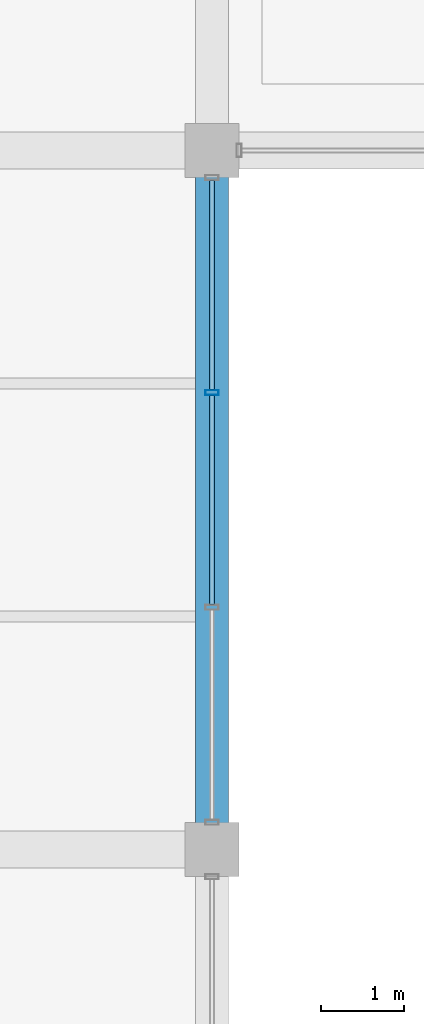
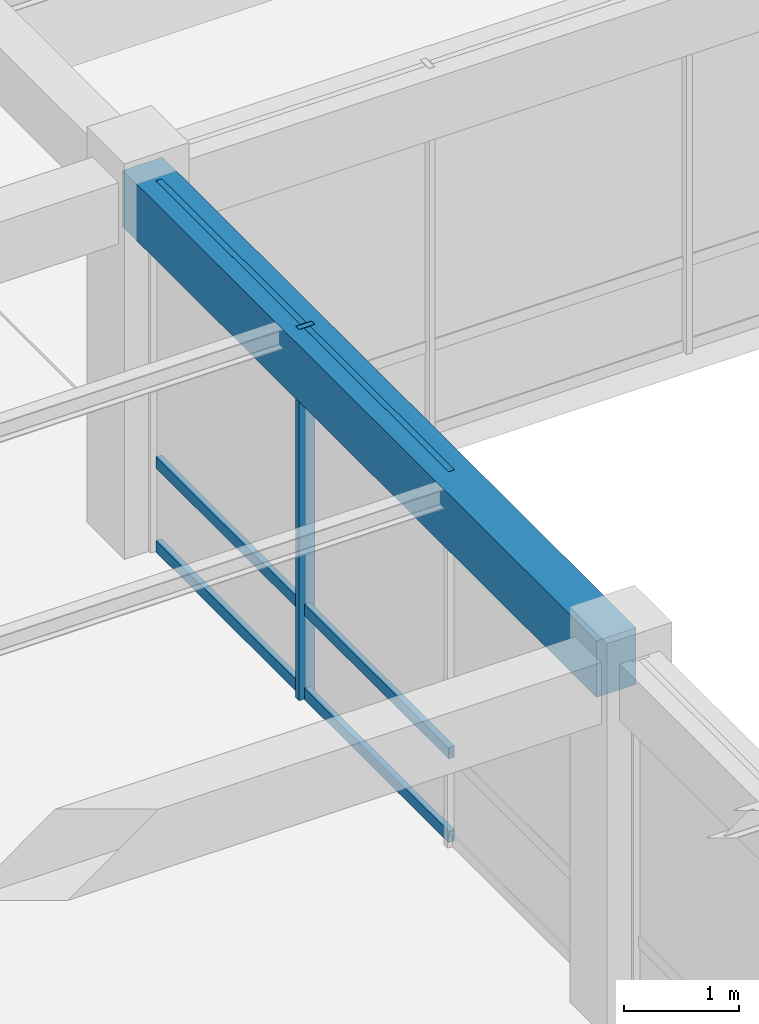
# One storey, part 11 of 138: 7 members, 1 beam, 1 element without a shape of its own.
"""IFC4 building model written with IfcOpenShell, lengths in metres."""

from ifc_helpers import new_model, si_unit, direction, frame, origin, origin_2d, place, context, subcontext, project, spatial, rectangle, hollow_rectangle, extrude, material, material_profile, profile_set, type_object, element, aggregate, save


model = new_model("IFC4")

# Units and contexts
model_context = context("Model", 3, precision=1e-05, world=origin(), true_north=direction((0.0, 1.0)))
body_context = subcontext(model_context, "Body", "Model", "MODEL_VIEW")
ifc_project = project(units=[si_unit("LENGTHUNIT", "METRE"), si_unit("AREAUNIT", "SQUARE_METRE"), si_unit("VOLUMEUNIT", "CUBIC_METRE"), si_unit("PLANEANGLEUNIT", "RADIAN"), si_unit("MASSUNIT", "GRAM", prefix="KILO"), si_unit("THERMODYNAMICTEMPERATUREUNIT", "KELVIN"), si_unit("POWERUNIT", "WATT")], contexts=[model_context])

# Site, building, storey
site_placement = place(None, origin())
site = spatial("IfcSite", under=ifc_project, at=site_placement, CompositionType="ELEMENT")
building_placement = place(site_placement, origin())
building = spatial("IfcBuilding", under=site, at=building_placement, Name="Darbajah Civic Hall", CompositionType="ELEMENT")
storey_placement = place(building_placement, frame((0.0, 0.0, 9.60009765625)))
storey = spatial("IfcBuildingStorey", under=building, at=storey_placement, Name="L02", CompositionType="ELEMENT", Elevation=9.60009765625)

# Curtain wall, members
ifc_material_1 = material(Name="Anodised Bronze Aluminium and Low-E Glazing", Category="aluminium")
curtain_wall_type = type_object("IfcCurtainWallType", Name="Unitised Curtain Wall CW-99 7700x3950", PredefinedType="USERDEFINED", material=ifc_material_1)
curtain_wall_placement = place(storey_placement, origin())
curtain_wall = element("IfcCurtainWall", 1, at=curtain_wall_placement, inside=storey, type_object=curtain_wall_type, Name="L02 unitised curtain wall CW-V5-L02-S1-B1", ObjectType="UNITISED CURTAIN WALL", PredefinedType="USERDEFINED")
ifc_material_2 = material(Name="Anodised Bronze Aluminium", Category="aluminium")
ifc_material_profile_1 = material_profile(ifc_material_2, hollow_rectangle(XDim=0.06005859375, YDim=0.159912109375, WallThickness=0.00341796875, at=origin_2d()), Name="ALU MULLION 60x160")
ifc_profile_set_1 = profile_set([ifc_material_profile_1], Name="Anodised Bronze Aluminium")
member_type_1 = type_object("IfcMemberType", Name="ALU MULLION 60x160", PredefinedType="MULLION", material=ifc_profile_set_1)
member_1_placement = place(storey_placement, frame((16.800048828125, 13.89111328125, 0.0), z_axis=(0.0, 0.0, 1.0), x_axis=(0.0, 1.0, 0.0)))
member_1 = element("IfcMember", 2, at=member_1_placement, type_object=member_type_1, Name="CW-V5-L02-S1-B1 mullion 3", PredefinedType="MULLION", context=body_context, shape_type="SweptSolid", body=[
    extrude(hollow_rectangle(XDim=0.06005859375, YDim=0.159912109375, WallThickness=0.00341796875, at=origin_2d()), origin(), (0.0, 0.0, 1.0), 3.93994140625),
])
ifc_material_profile_2 = material_profile(ifc_material_2, hollow_rectangle(XDim=0.06005859375, YDim=0.1201171875, WallThickness=0.003173828125, at=origin_2d()), Name="ALU TRANSOM 60x120")
ifc_profile_set_2 = profile_set([ifc_material_profile_2], Name="Anodised Bronze Aluminium")
member_type_2 = type_object("IfcMemberType", Name="ALU TRANSOM 60x120", PredefinedType="USERDEFINED", material=ifc_profile_set_2)
member_2_placement = place(storey_placement, frame((16.800048828125, 11.343994140625, 0.059814453125), z_axis=(0.0, 1.0, 0.0), x_axis=(-1.0, 0.0, 0.0)))
member_2 = element("IfcMember", 3, at=member_2_placement, type_object=member_type_2, Name="CW-V5-L02-S1-B1 transom 2.1", ObjectType="TRANSOM", PredefinedType="USERDEFINED", context=body_context, shape_type="SweptSolid", body=[
    extrude(hollow_rectangle(XDim=0.06005859375, YDim=0.1201171875, WallThickness=0.003173828125, at=origin_2d()), origin(), (0.0, 0.0, 1.0), 2.511962890625),
])
member_3_placement = place(storey_placement, frame((16.800048828125, 11.343994140625, 0.949951171875), z_axis=(0.0, 1.0, 0.0), x_axis=(-1.0, 0.0, 0.0)))
member_3 = element("IfcMember", 4, at=member_3_placement, type_object=member_type_2, Name="CW-V5-L02-S1-B1 transom 2.2", ObjectType="TRANSOM", PredefinedType="USERDEFINED", context=body_context, shape_type="SweptSolid", body=[
    extrude(hollow_rectangle(XDim=0.06005859375, YDim=0.1201171875, WallThickness=0.003173828125, at=origin_2d()), origin(), (0.0, 0.0, 1.0), 2.511962890625),
])
member_4_placement = place(storey_placement, frame((16.800048828125, 11.343994140625, 3.8798828125), z_axis=(0.0, 1.0, 0.0), x_axis=(-1.0, 0.0, 0.0)))
member_4 = element("IfcMember", 5, at=member_4_placement, type_object=member_type_2, Name="CW-V5-L02-S1-B1 transom 2.3", ObjectType="TRANSOM", PredefinedType="USERDEFINED", context=body_context, shape_type="SweptSolid", body=[
    extrude(hollow_rectangle(XDim=0.06005859375, YDim=0.1201171875, WallThickness=0.003173828125, at=origin_2d()), origin(), (0.0, 0.0, 1.0), 2.511962890625),
])
member_5_placement = place(storey_placement, frame((16.800048828125, 13.926025390625, 0.059814453125), z_axis=(0.0, 1.0, 0.0), x_axis=(-1.0, 0.0, 0.0)))
member_5 = element("IfcMember", 6, at=member_5_placement, type_object=member_type_2, Name="CW-V5-L02-S1-B1 transom 3.1", ObjectType="TRANSOM", PredefinedType="USERDEFINED", context=body_context, shape_type="SweptSolid", body=[
    extrude(hollow_rectangle(XDim=0.06005859375, YDim=0.1201171875, WallThickness=0.003173828125, at=origin_2d()), origin(), (0.0, 0.0, 1.0), 2.511962890625),
])
member_6_placement = place(storey_placement, frame((16.800048828125, 13.926025390625, 0.949951171875), z_axis=(0.0, 1.0, 0.0), x_axis=(-1.0, 0.0, 0.0)))
member_6 = element("IfcMember", 7, at=member_6_placement, type_object=member_type_2, Name="CW-V5-L02-S1-B1 transom 3.2", ObjectType="TRANSOM", PredefinedType="USERDEFINED", context=body_context, shape_type="SweptSolid", body=[
    extrude(hollow_rectangle(XDim=0.06005859375, YDim=0.1201171875, WallThickness=0.003173828125, at=origin_2d()), origin(), (0.0, 0.0, 1.0), 2.511962890625),
])
member_7_placement = place(storey_placement, frame((16.800048828125, 13.926025390625, 3.8798828125), z_axis=(0.0, 1.0, 0.0), x_axis=(-1.0, 0.0, 0.0)))
member_7 = element("IfcMember", 8, at=member_7_placement, type_object=member_type_2, Name="CW-V5-L02-S1-B1 transom 3.3", ObjectType="TRANSOM", PredefinedType="USERDEFINED", context=body_context, shape_type="SweptSolid", body=[
    extrude(hollow_rectangle(XDim=0.06005859375, YDim=0.1201171875, WallThickness=0.003173828125, at=origin_2d()), origin(), (0.0, 0.0, 1.0), 2.511962890625),
])
aggregate(curtain_wall, [member_1, member_2, member_3, member_4, member_5, member_6, member_7])

# Beam
ifc_material_3 = material(Name="Concrete C45/55", Category="concrete")
ifc_material_profile_3 = material_profile(ifc_material_3, rectangle(XDim=0.39990234375, YDim=0.60009765625, at=origin_2d()), Name="RC BEAM 400x600")
ifc_profile_set_3 = profile_set([ifc_material_profile_3], Name="Concrete C45/55")
beam_type = type_object("IfcBeamType", Name="RC BEAM 400x600", PredefinedType="BEAM", material=ifc_profile_set_3)
beam_placement = place(storey_placement, frame((16.800048828125, 8.47998046875, 3.639892578125), z_axis=(0.0, 1.0, 0.0), x_axis=(-1.0, 0.0, 0.0)))
element("IfcBeam", 9, at=beam_placement, inside=storey, type_object=beam_type, Name="L02 beam BM-4060", PredefinedType="BEAM", context=body_context, shape_type="SweptSolid", body=[
    extrude(rectangle(XDim=0.39990234375, YDim=0.60009765625, at=origin_2d()), origin(), (0.0, 0.0, 1.0), 8.239990234375),
])

save(model, "model.ifc")
